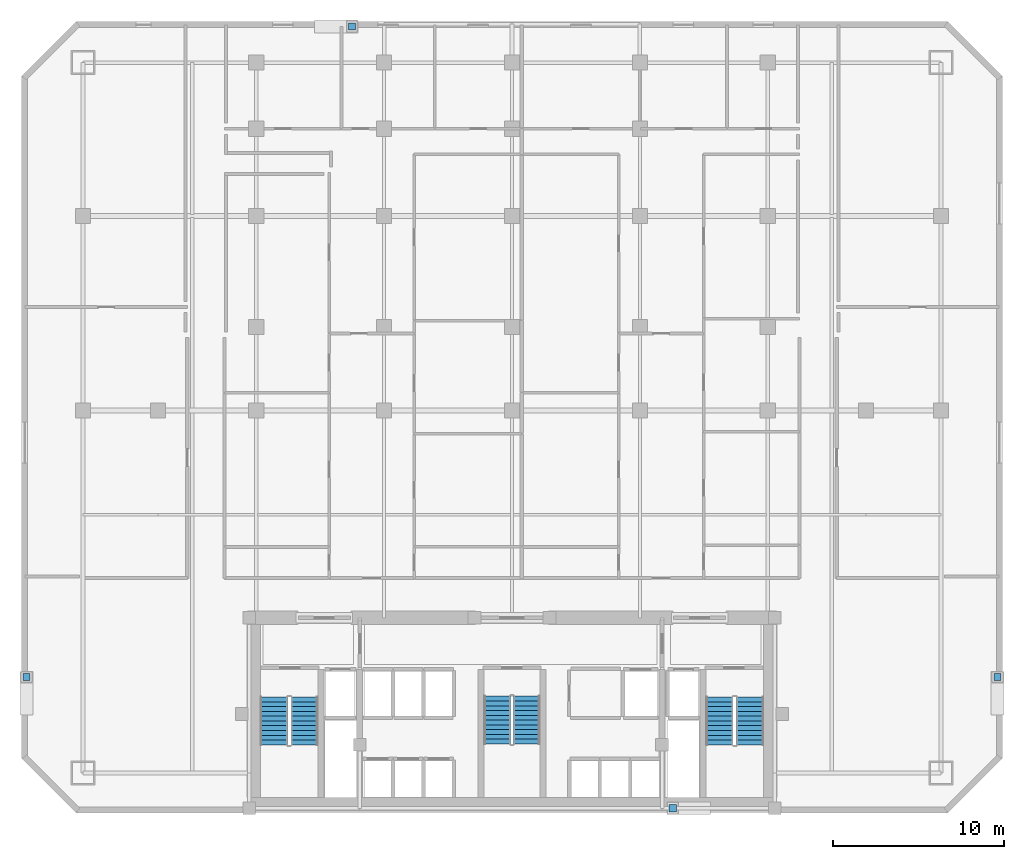
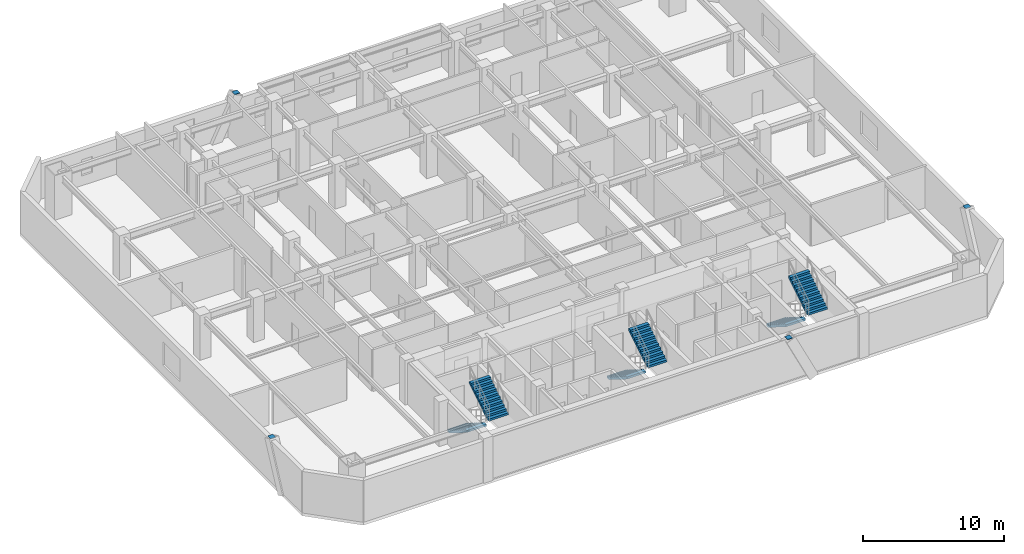
# One storey, part 7 of 8: 6 stair flights, 4 discrete accessories, 3 elements without a shape of their own.
"""IFC4 building model written with IfcOpenShell, lengths in metres."""

from ifc_helpers import new_model, si_unit, direction, frame, origin, origin_2d, place, context, subcontext, project, spatial, polyline, rectangle, outline, extrude, material, type_object, element, aggregate, save


model = new_model("IFC4")

# Units and contexts
model_context = context("Model", 3, precision=1e-05, world=origin(), true_north=direction((0.0, 1.0)))
body_context = subcontext(model_context, "Body", "Model", "MODEL_VIEW")
ifc_project = project(units=[si_unit("LENGTHUNIT", "METRE"), si_unit("AREAUNIT", "SQUARE_METRE"), si_unit("VOLUMEUNIT", "CUBIC_METRE"), si_unit("PLANEANGLEUNIT", "RADIAN"), si_unit("MASSUNIT", "GRAM", prefix="KILO")], contexts=[model_context])

# Site, building, storey
site_placement = place(None, origin())
site = spatial("IfcSite", under=ifc_project, at=site_placement, CompositionType="ELEMENT")
building_placement = place(site_placement, origin())
building = spatial("IfcBuilding", under=site, at=building_placement, Name="Ventersveld Concourse Tower", CompositionType="ELEMENT")
storey_placement = place(building_placement, frame((0.0, 0.0, 37.5)))
storey = spatial("IfcBuildingStorey", under=building, at=storey_placement, Name="L08", CompositionType="ELEMENT", Elevation=37.5)

# Stair, stair flights
ifc_material_1 = material(Name="Concrete C50/60", Category="concrete")
stair_type_1 = type_object("IfcStairType", Name="ST-DOG-155", PredefinedType="HALF_TURN_STAIR", material=ifc_material_1)
stair_1_placement = place(storey_placement, origin())
stair_1 = element("IfcStair", 1, at=stair_1_placement, inside=storey, type_object=stair_type_1, Name="L08 Protected Central Core Escape Stair ST-03", PredefinedType="HALF_TURN_STAIR")
stair_flight_type_1 = type_object("IfcStairFlightType", Name="STF-RC-155", PredefinedType="STRAIGHT", material=ifc_material_1)
stair_flight_1_placement = place(storey_placement, frame((27.875, 6.85009765625, 0.0), z_axis=(0.0, 0.0, 1.0), x_axis=(0.0, -1.0, 0.0)))
stair_flight_1 = element("IfcStairFlight", 2, at=stair_flight_1_placement, type_object=stair_flight_type_1, Name="ST-03 flight 1", NumberOfRisers=11, NumberOfTreads=10, PredefinedType="STRAIGHT", RiserHeight=0.175, TreadLength=0.28, context=body_context, shape_type="SweptSolid", body=[
    extrude(outline(polyline([(0.0, 0.0), (0.0, 0.175048828125), (0.280029296875, 0.175048828125), (0.280029296875, 0.35009765625), (0.56005859375, 0.35009765625), (0.56005859375, 0.52490234375), (0.840087890625, 0.52490234375), (0.840087890625, 0.699951171875), (1.1201171875, 0.699951171875), (1.1201171875, 0.875), (1.39990234375, 0.875), (1.39990234375, 1.050048828125), (1.679931640625, 1.050048828125), (1.679931640625, 1.22509765625), (1.9599609375, 1.22509765625), (1.9599609375, 1.39990234375), (2.239990234375, 1.39990234375), (2.239990234375, 1.574951171875), (2.52001953125, 1.574951171875), (2.52001953125, 1.75), (2.800048828125, 1.75), (2.800048828125, 1.925048828125), (2.800048828125, 1.5732421875), (0.28271484375, 0.0), (0.0, 0.0)])), frame((0.0, 0.77490234375, 0.0), z_axis=(0.0, -1.0, 0.0), x_axis=(1.0, 0.0, 0.0)), (0.0, 0.0, 1.0), 1.550048828125),
])
stair_flight_2_placement = place(storey_placement, frame((29.625, 4.050048828125, 1.925048828125), z_axis=(0.0, 0.0, 1.0), x_axis=(0.0, 1.0, 0.0)))
stair_flight_2 = element("IfcStairFlight", 3, at=stair_flight_2_placement, type_object=stair_flight_type_1, Name="ST-03 flight 2", NumberOfRisers=11, NumberOfTreads=10, PredefinedType="STRAIGHT", RiserHeight=0.175, TreadLength=0.28, context=body_context, shape_type="SweptSolid", body=[
    extrude(outline(polyline([(0.0, 0.0), (0.0, 0.175048828125), (0.280029296875, 0.175048828125), (0.280029296875, 0.35009765625), (0.56005859375, 0.35009765625), (0.56005859375, 0.52490234375), (0.840087890625, 0.52490234375), (0.840087890625, 0.699951171875), (1.1201171875, 0.699951171875), (1.1201171875, 0.875), (1.39990234375, 0.875), (1.39990234375, 1.050048828125), (1.679931640625, 1.050048828125), (1.679931640625, 1.22509765625), (1.9599609375, 1.22509765625), (1.9599609375, 1.39990234375), (2.239990234375, 1.39990234375), (2.239990234375, 1.574951171875), (2.52001953125, 1.574951171875), (2.52001953125, 1.75), (2.800048828125, 1.75), (2.800048828125, 1.925048828125), (2.800048828125, 1.5732421875), (0.28271484375, 0.0), (0.0, 0.0)])), frame((0.0, 0.77490234375, 0.0), z_axis=(0.0, -1.0, 0.0), x_axis=(1.0, 0.0, 0.0)), (0.0, 0.0, 1.0), 1.550048828125),
])
aggregate(stair_1, [stair_flight_1, stair_flight_2])

stair_type_2 = type_object("IfcStairType", Name="ST-DOG-160", PredefinedType="HALF_TURN_STAIR", material=ifc_material_1)
stair_2_placement = place(storey_placement, origin())
stair_2 = element("IfcStair", 4, at=stair_2_placement, inside=storey, type_object=stair_type_2, Name="L08 Protected Tower Escape Stair ST-01", PredefinedType="HALF_TURN_STAIR")
stair_flight_type_2 = type_object("IfcStairFlightType", Name="STF-RC-160", PredefinedType="STRAIGHT", material=ifc_material_1)
stair_flight_3_placement = place(storey_placement, frame((14.780029296875, 6.800048828125, 0.0), z_axis=(0.0, 0.0, 1.0), x_axis=(0.0, -1.0, 0.0)))
stair_flight_3 = element("IfcStairFlight", 5, at=stair_flight_3_placement, type_object=stair_flight_type_2, Name="ST-01 flight 1", NumberOfRisers=11, NumberOfTreads=10, PredefinedType="STRAIGHT", RiserHeight=0.175, TreadLength=0.28, context=body_context, shape_type="SweptSolid", body=[
    extrude(outline(polyline([(0.0, 0.0), (0.0, 0.175048828125), (0.280029296875, 0.175048828125), (0.280029296875, 0.35009765625), (0.56005859375, 0.35009765625), (0.56005859375, 0.52490234375), (0.840087890625, 0.52490234375), (0.840087890625, 0.699951171875), (1.1201171875, 0.699951171875), (1.1201171875, 0.875), (1.39990234375, 0.875), (1.39990234375, 1.050048828125), (1.679931640625, 1.050048828125), (1.679931640625, 1.22509765625), (1.9599609375, 1.22509765625), (1.9599609375, 1.39990234375), (2.239990234375, 1.39990234375), (2.239990234375, 1.574951171875), (2.52001953125, 1.574951171875), (2.52001953125, 1.75), (2.800048828125, 1.75), (2.800048828125, 1.925048828125), (2.800048828125, 1.5732421875), (0.28271484375, 0.0), (0.0, 0.0)])), frame((0.0, 0.800048828125, 0.0), z_axis=(0.0, -1.0, 0.0), x_axis=(1.0, 0.0, 0.0)), (0.0, 0.0, 1.0), 1.60009765625),
])
stair_flight_4_placement = place(storey_placement, frame((16.580078125, 4.0, 1.925048828125), z_axis=(0.0, 0.0, 1.0), x_axis=(0.0, 1.0, 0.0)))
stair_flight_4 = element("IfcStairFlight", 6, at=stair_flight_4_placement, type_object=stair_flight_type_2, Name="ST-01 flight 2", NumberOfRisers=11, NumberOfTreads=10, PredefinedType="STRAIGHT", RiserHeight=0.175, TreadLength=0.28, context=body_context, shape_type="SweptSolid", body=[
    extrude(outline(polyline([(0.0, 0.0), (0.0, 0.175048828125), (0.280029296875, 0.175048828125), (0.280029296875, 0.35009765625), (0.56005859375, 0.35009765625), (0.56005859375, 0.52490234375), (0.840087890625, 0.52490234375), (0.840087890625, 0.699951171875), (1.1201171875, 0.699951171875), (1.1201171875, 0.875), (1.39990234375, 0.875), (1.39990234375, 1.050048828125), (1.679931640625, 1.050048828125), (1.679931640625, 1.22509765625), (1.9599609375, 1.22509765625), (1.9599609375, 1.39990234375), (2.239990234375, 1.39990234375), (2.239990234375, 1.574951171875), (2.52001953125, 1.574951171875), (2.52001953125, 1.75), (2.800048828125, 1.75), (2.800048828125, 1.925048828125), (2.800048828125, 1.5732421875), (0.28271484375, 0.0), (0.0, 0.0)])), frame((0.0, 0.800048828125, 0.0), z_axis=(0.0, -1.0, 0.0), x_axis=(1.0, 0.0, 0.0)), (0.0, 0.0, 1.0), 1.60009765625),
])
aggregate(stair_2, [stair_flight_3, stair_flight_4])

stair_3_placement = place(storey_placement, origin())
stair_3 = element("IfcStair", 7, at=stair_3_placement, inside=storey, type_object=stair_type_2, Name="L08 Protected Tower Escape Stair ST-02", PredefinedType="HALF_TURN_STAIR")
stair_flight_5_placement = place(storey_placement, frame((40.919921875, 6.800048828125, 0.0), z_axis=(0.0, 0.0, 1.0), x_axis=(0.0, -1.0, 0.0)))
stair_flight_5 = element("IfcStairFlight", 8, at=stair_flight_5_placement, type_object=stair_flight_type_2, Name="ST-02 flight 1", NumberOfRisers=11, NumberOfTreads=10, PredefinedType="STRAIGHT", RiserHeight=0.175, TreadLength=0.28, context=body_context, shape_type="SweptSolid", body=[
    extrude(outline(polyline([(0.0, 0.0), (0.0, 0.175048828125), (0.280029296875, 0.175048828125), (0.280029296875, 0.35009765625), (0.56005859375, 0.35009765625), (0.56005859375, 0.52490234375), (0.840087890625, 0.52490234375), (0.840087890625, 0.699951171875), (1.1201171875, 0.699951171875), (1.1201171875, 0.875), (1.39990234375, 0.875), (1.39990234375, 1.050048828125), (1.679931640625, 1.050048828125), (1.679931640625, 1.22509765625), (1.9599609375, 1.22509765625), (1.9599609375, 1.39990234375), (2.239990234375, 1.39990234375), (2.239990234375, 1.574951171875), (2.52001953125, 1.574951171875), (2.52001953125, 1.75), (2.800048828125, 1.75), (2.800048828125, 1.925048828125), (2.800048828125, 1.5732421875), (0.28271484375, 0.0), (0.0, 0.0)])), frame((0.0, 0.800048828125, 0.0), z_axis=(0.0, -1.0, 0.0), x_axis=(1.0, 0.0, 0.0)), (0.0, 0.0, 1.0), 1.60009765625),
])
stair_flight_6_placement = place(storey_placement, frame((42.719970703125, 4.0, 1.925048828125), z_axis=(0.0, 0.0, 1.0), x_axis=(0.0, 1.0, 0.0)))
stair_flight_6 = element("IfcStairFlight", 9, at=stair_flight_6_placement, type_object=stair_flight_type_2, Name="ST-02 flight 2", NumberOfRisers=11, NumberOfTreads=10, PredefinedType="STRAIGHT", RiserHeight=0.175, TreadLength=0.28, context=body_context, shape_type="SweptSolid", body=[
    extrude(outline(polyline([(0.0, 0.0), (0.0, 0.175048828125), (0.280029296875, 0.175048828125), (0.280029296875, 0.35009765625), (0.56005859375, 0.35009765625), (0.56005859375, 0.52490234375), (0.840087890625, 0.52490234375), (0.840087890625, 0.699951171875), (1.1201171875, 0.699951171875), (1.1201171875, 0.875), (1.39990234375, 0.875), (1.39990234375, 1.050048828125), (1.679931640625, 1.050048828125), (1.679931640625, 1.22509765625), (1.9599609375, 1.22509765625), (1.9599609375, 1.39990234375), (2.239990234375, 1.39990234375), (2.239990234375, 1.574951171875), (2.52001953125, 1.574951171875), (2.52001953125, 1.75), (2.800048828125, 1.75), (2.800048828125, 1.925048828125), (2.800048828125, 1.5732421875), (0.28271484375, 0.0), (0.0, 0.0)])), frame((0.0, 0.800048828125, 0.0), z_axis=(0.0, -1.0, 0.0), x_axis=(1.0, 0.0, 0.0)), (0.0, 0.0, 1.0), 1.60009765625),
])
aggregate(stair_3, [stair_flight_5, stair_flight_6])

# Discrete accessories
ifc_material_2 = material(Name="Structural steel S355J2", Category="steel")
discrete_accessory_type = type_object("IfcDiscreteAccessoryType", Name="CONN-BRACE-ECP1", PredefinedType="BRACKET", material=ifc_material_2)
for number, where, z_axis, x_axis, name in (
    (10, (19.375, 46.1201171875, 3.580078125), (0.0, 0.0, 1.0), (1.0, 0.0, 0.0), "L08 Steel Brace End Connection Plate ECP1-0200"),
    (11, (38.175048828125, 0.280029296875, 3.580078125), (0.0, 0.0, 1.0), (1.0, 0.0, 0.0), "L08 Steel Brace End Connection Plate ECP1-0205"),
    (12, (0.280029296875, 7.97509765625, 3.580078125), (0.0, 0.0, 1.0), (1.0, 0.0, 0.0), "L08 Steel Brace End Connection Plate ECP1-0210"),
    (13, (57.219970703125, 7.97509765625, 3.580078125), (0.0, 0.0, 1.0), (1.0, 0.0, 0.0), "L08 Steel Brace End Connection Plate ECP1-0215"),
):
    element("IfcDiscreteAccessory", number, at=place(storey_placement, frame(where, z_axis=z_axis, x_axis=x_axis)), inside=storey, type_object=discrete_accessory_type, Name=name, PredefinedType="BRACKET", context=body_context, shape_type="SweptSolid", body=[
        extrude(rectangle(XDim=0.419921875, YDim=0.419921875, at=origin_2d()), origin(), (0.0, 0.0, 1.0), 0.0400390625),
    ])

save(model, "model.ifc")
